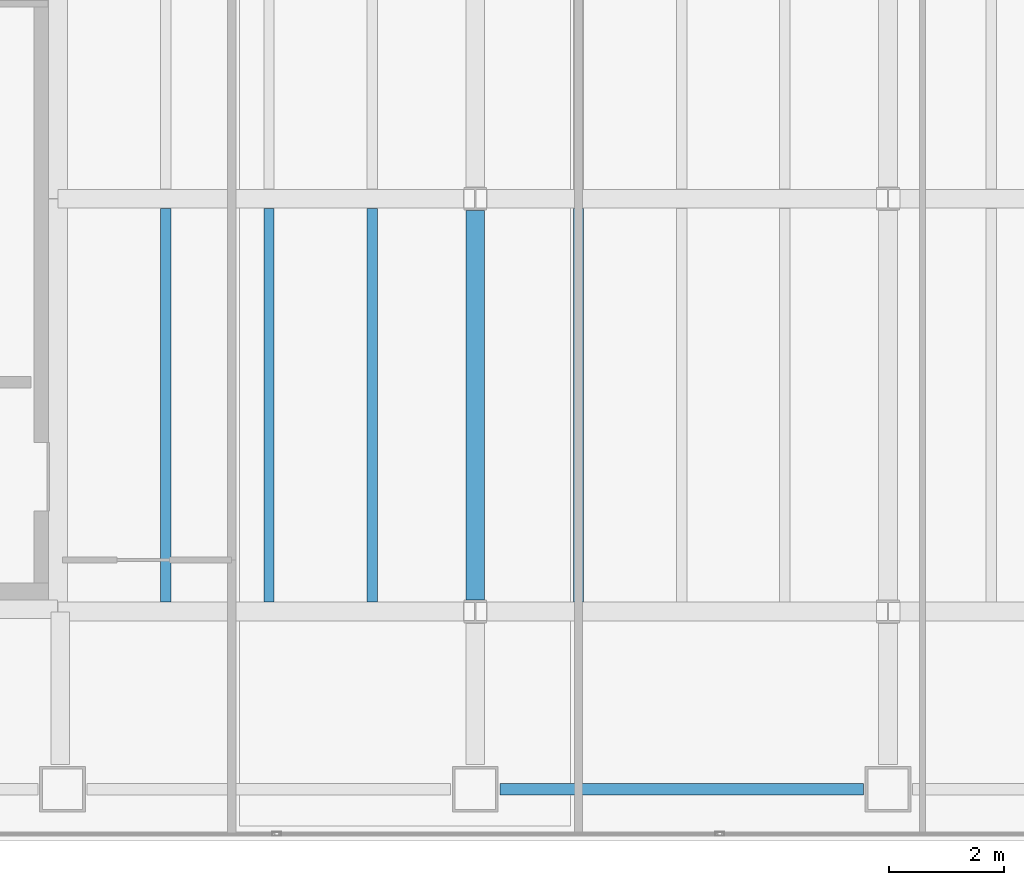
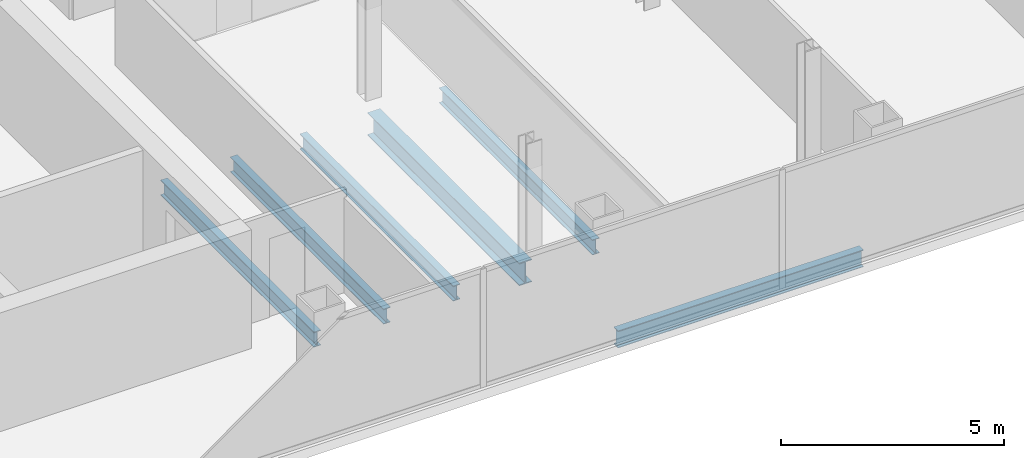
# One storey, part 5 of 23: 6 beams.
"""IFC4 building model written with IfcOpenShell, lengths in metres."""

import ifcopenshell
import ifcopenshell.guid

model = None  # the IFC model being written
_history = None  # IfcOwnerHistory: only IFC2X3 demands one
_inside = {}  # id of a spatial element -> (the spatial element, [elements in it])
_under = {}  # id of a project, library or spatial element -> (it, [spatial elements below it])
_declared = {}  # id of a project -> (the project, [libraries it declares])
_typed = {}  # id of a type object -> (the type object, [elements of that type])
_made_of = {}  # id of a material, layer set ... -> (it, [elements and type objects made of it])


def new_model(schema):
    """Start an empty IFC model of exactly this schema.

    Asked for "IFC4X3", IfcOpenShell would pick the latest addendum, in which some entities
    have other attributes; the version numbers below select the first issue.
    IFC2X3 requires an IfcOwnerHistory on every rooted entity: one is made here for all.
    """
    global model, _history
    if schema == "IFC4X3":
        model = ifcopenshell.file(schema_version=(4, 3, 0, 0))
    else:
        model = ifcopenshell.file(schema=schema)
    _inside.clear()
    _under.clear()
    _declared.clear()
    _typed.clear()
    _made_of.clear()
    _history = None
    if model.schema == "IFC2X3":
        org = make("IfcOrganization", Name="unknown")
        user = make(
            "IfcPersonAndOrganization",
            ThePerson=make("IfcPerson", FamilyName="unknown"),
            TheOrganization=org,
        )
        app = make(
            "IfcApplication",
            ApplicationDeveloper=org,
            Version="unknown",
            ApplicationFullName="unknown",
            ApplicationIdentifier="unknown",
        )
        _history = make(
            "IfcOwnerHistory",
            OwningUser=user,
            OwningApplication=app,
            ChangeAction="ADDED",
            CreationDate=0,
        )
    return model


def make(cls, **values):
    """One entity of the class cls with the attributes given. An attribute that is None is left unset."""
    return model.create_entity(
        cls, **{name: value for name, value in values.items() if value is not None}
    )


def rooted(cls, **values):
    """An entity with a GlobalId (a new one), such as an element, a storey or a relation."""
    return make(cls, GlobalId=ifcopenshell.guid.new(), OwnerHistory=_history, **values)


def si_unit(unit_type, name, prefix=None):
    """IfcSIUnit, for example si_unit("LENGTHUNIT", "METRE", prefix="MILLI")."""
    return make("IfcSIUnit", UnitType=unit_type, Prefix=prefix, Name=name)


def assignment(units):
    """IfcUnitAssignment: the units of a project."""
    return None if units is None else make("IfcUnitAssignment", Units=units)


def point(xyz):
    """IfcCartesianPoint."""
    return None if xyz is None else make("IfcCartesianPoint", Coordinates=xyz)


def direction(xyz):
    """IfcDirection."""
    return None if xyz is None else make("IfcDirection", DirectionRatios=xyz)


def frame(location, z_axis=None, x_axis=None):
    """IfcAxis2Placement3D, a coordinate frame: its origin and axes. An axis left out is left unset."""
    return make(
        "IfcAxis2Placement3D",
        Location=point(location),
        Axis=direction(z_axis),
        RefDirection=direction(x_axis),
    )


def frame_2d(location, x_axis=None):
    """IfcAxis2Placement2D, a coordinate frame in the plane: its origin and x axis."""
    return make(
        "IfcAxis2Placement2D", Location=point(location), RefDirection=direction(x_axis)
    )


def origin():
    """The frame at (0, 0, 0) with its axes left unset."""
    return frame((0.0, 0.0, 0.0))


def origin_2d():
    """The frame at (0, 0) in the plane with its x axis left unset."""
    return frame_2d((0.0, 0.0))


def place(relative_to, where):
    """IfcLocalPlacement: puts the frame where relative to a parent placement (None: the world)."""
    return make(
        "IfcLocalPlacement", PlacementRelTo=relative_to, RelativePlacement=where
    )


def context(
    kind, dimensions, precision=None, world=None, true_north=None, identifier=None
):
    """IfcGeometricRepresentationContext, for example the 3D "Model" context."""
    return make(
        "IfcGeometricRepresentationContext",
        ContextIdentifier=identifier,
        ContextType=kind,
        CoordinateSpaceDimension=dimensions,
        Precision=precision,
        WorldCoordinateSystem=world,
        TrueNorth=true_north,
    )


def subcontext(parent, identifier, kind, view, scale=None):
    """IfcGeometricRepresentationSubContext, for example "Body" below "Model"."""
    return make(
        "IfcGeometricRepresentationSubContext",
        ContextIdentifier=identifier,
        ContextType=kind,
        ParentContext=parent,
        TargetScale=scale,
        TargetView=view,
    )


def project(units=None, contexts=None):
    """IfcProject with its units and contexts."""
    return rooted(
        "IfcProject",
        Name="project",
        RepresentationContexts=contexts,
        UnitsInContext=assignment(units),
    )


def spatial(cls, under=None, at=None, **own):
    """A site, building, storey or space (cls), placed at a placement, below another one or the project."""
    s = rooted(cls, ObjectPlacement=at, **own)
    if under is not None:
        _under.setdefault(under.id(), (under, []))[1].append(s)
    return s


def profile(cls, at=None, kind="AREA", **sizes):
    """A parametric profile (cls). Its sizes go by their IFC names, for example OverallWidth=200.0."""
    return make(cls, ProfileType=kind, Position=at, **sizes)


def i_section(**sizes):
    """IfcIShapeProfileDef."""
    return profile("IfcIShapeProfileDef", **sizes)


def extrude(swept, where, along, depth):
    """IfcExtrudedAreaSolid: the profile swept, set in the frame where, extruded along a direction by depth."""
    return make(
        "IfcExtrudedAreaSolid",
        SweptArea=swept,
        Position=where,
        ExtrudedDirection=direction(along),
        Depth=depth,
    )


def shape(context_of_items, identifier, shape_type, items):
    """IfcShapeRepresentation: the items that make up one representation, for example the "Body"."""
    return make(
        "IfcShapeRepresentation",
        ContextOfItems=context_of_items,
        RepresentationIdentifier=identifier,
        RepresentationType=shape_type,
        Items=items,
    )


def material(Name=None, Category=None):
    """IfcMaterial."""
    return make("IfcMaterial", Name=Name, Category=Category)


def material_profile(
    of_material, cross_section, Name=None, Category=None, Priority=None
):
    """IfcMaterialProfile: a cross section and its material."""
    return make(
        "IfcMaterialProfile",
        Name=Name,
        Material=of_material,
        Profile=cross_section,
        Priority=Priority,
        Category=Category,
    )


def profile_set(profiles, Name=None, composite=None):
    """IfcMaterialProfileSet."""
    return make(
        "IfcMaterialProfileSet",
        Name=Name,
        MaterialProfiles=profiles,
        CompositeProfile=composite,
    )


def made_of(thing, what):
    """Note that an element or type object is made of a material, layer set ...; save() writes the relation."""
    if what is not None:
        _made_of.setdefault(what.id(), (what, []))[1].append(thing)
    return thing


def type_object(cls, material=None, **own):
    """A type object (cls), such as IfcWallType, which elements share."""
    return made_of(rooted(cls, **own), material)


def element(
    cls,
    number,
    at=None,
    inside=None,
    cuts=None,
    type_object=None,
    material=None,
    context=None,
    identifier="Body",
    shape_type=None,
    held_by="IfcProductDefinitionShape",
    body=None,
    shapes=None,
    **own,
):
    """One element of the class cls, such as IfcWall. Its Tag is "e" and its number.

    at: its placement. inside: the storey or other place that contains it. cuts: it is an
    opening in that element (IfcRelVoidsElement). A single representation is given by context,
    identifier, shape_type and body (its items); several are given by shapes. held_by: the class
    of the entity that holds the representations. save() writes the other relations.
    """
    e = rooted(cls, Tag="e%d" % number, ObjectPlacement=at, **own)
    if body is not None:
        shapes = [shape(context, identifier, shape_type, body)]
    if shapes is not None:
        e.Representation = make(held_by, Representations=shapes)
    if inside is not None:
        _inside.setdefault(inside.id(), (inside, []))[1].append(e)
    if cuts is not None:
        rooted(
            "IfcRelVoidsElement", RelatingBuildingElement=cuts, RelatedOpeningElement=e
        )
    if type_object is not None:
        _typed.setdefault(type_object.id(), (type_object, []))[1].append(e)
    return made_of(e, material)


def aggregate(whole, parts):
    """IfcRelAggregates: a whole, such as a stair, and the parts it consists of."""
    return rooted("IfcRelAggregates", RelatingObject=whole, RelatedObjects=parts)


def save(model, path):
    """Write the relations noted so far, then the file.

    IfcRelAggregates (storeys below a building ...), IfcRelContainedInSpatialStructure (elements
    in a storey), IfcRelDefinesByType, IfcRelAssociatesMaterial and IfcRelDeclares: one each for
    every whole, place, type object, material and project.
    """
    for whole, parts in _under.values():
        aggregate(whole, parts)
    for where, things in _inside.values():
        rooted(
            "IfcRelContainedInSpatialStructure",
            RelatedElements=things,
            RelatingStructure=where,
        )
    for kind, things in _typed.values():
        rooted("IfcRelDefinesByType", RelatedObjects=things, RelatingType=kind)
    for what, things in _made_of.values():
        rooted("IfcRelAssociatesMaterial", RelatedObjects=things, RelatingMaterial=what)
    for by, libraries in _declared.values():
        rooted("IfcRelDeclares", RelatingContext=by, RelatedDefinitions=libraries)
    model.write(path)


model = new_model("IFC4")

# Units and contexts
model_context = context("Model", 3, precision=1e-05, world=origin(), true_north=direction((0.0, 1.0)))
body_context = subcontext(model_context, "Body", "Model", "MODEL_VIEW")
ifc_project = project(units=[si_unit("LENGTHUNIT", "METRE"), si_unit("AREAUNIT", "SQUARE_METRE"), si_unit("VOLUMEUNIT", "CUBIC_METRE"), si_unit("PLANEANGLEUNIT", "RADIAN"), si_unit("MASSUNIT", "GRAM", prefix="KILO")], contexts=[model_context])

# Site, building, storey
site_placement = place(None, origin())
site = spatial("IfcSite", under=ifc_project, at=site_placement, CompositionType="ELEMENT")
building_placement = place(site_placement, origin())
building = spatial("IfcBuilding", under=site, at=building_placement, Name="Cobrela Telecom Tower", CompositionType="ELEMENT")
storey_placement = place(building_placement, frame((0.0, 0.0, 187.25)))
storey = spatial("IfcBuildingStorey", under=building, at=storey_placement, Name="L47", CompositionType="ELEMENT", Elevation=187.25)

# Beams
ifc_material = material(Name="Steel ASTM A992 Grade 50", Category="steel")
ifc_material_profile_1 = material_profile(ifc_material, i_section(OverallWidth=0.327880859375, OverallDepth=0.6220703125, WebThickness=0.015380859375, FlangeThickness=0.0244140625, FilletRadius=0.014892578125, at=origin_2d()), Name="W24X131")
ifc_profile_set_1 = profile_set([ifc_material_profile_1], Name="Steel ASTM A992 Grade 50")
beam_type_1 = type_object("IfcBeamType", Name="BM-GIRD-06", PredefinedType="USERDEFINED", material=ifc_profile_set_1)
beam_1_placement = place(storey_placement, frame((21.60009765625, 7.404541015625, -0.571044921875), z_axis=(0.0, 1.0, 0.0), x_axis=(-1.0, 0.0, 0.0)))
element("IfcBeam", 1, at=beam_1_placement, inside=storey, type_object=beam_type_1, Name="L47 Primary Girder Y33", ObjectType="GIRDER", PredefinedType="USERDEFINED", context=body_context, shape_type="SweptSolid", body=[
    extrude(i_section(OverallWidth=0.327880859375, OverallDepth=0.6220703125, WebThickness=0.015380859375, FlangeThickness=0.0244140625, FilletRadius=0.014892578125, at=origin_2d()), origin(), (0.0, 0.0, 1.0), 6.791015625),
])
ifc_material_profile_2 = material_profile(ifc_material, i_section(OverallWidth=0.179931640625, OverallDepth=0.4169921875, WebThickness=0.010986328125, FlangeThickness=0.01806640625, FilletRadius=0.011962890625, at=origin_2d()), Name="W16X57")
ifc_profile_set_2 = profile_set([ifc_material_profile_2], Name="Steel ASTM A992 Grade 50")
beam_type_2 = type_object("IfcBeamType", Name="BM-JOIST-04", PredefinedType="JOIST", material=ifc_profile_set_2)
for number, where, z_axis, x_axis, name in (
    (2, (16.199951171875, 7.368896484375, -0.468505859375), (0.0, 1.0, 0.0), (-1.0, 0.0, 0.0), "L47 Secondary Composite Floor Beam J01"),
    (3, (18.0, 7.368896484375, -0.468505859375), (0.0, 1.0, 0.0), (-1.0, 0.0, 0.0), "L47 Secondary Composite Floor Beam J05"),
    (4, (19.800048828125, 7.368896484375, -0.468505859375), (0.0, 1.0, 0.0), (-1.0, 0.0, 0.0), "L47 Secondary Composite Floor Beam J09"),
    (5, (23.39990234375, 7.368896484375, -0.468505859375), (0.0, 1.0, 0.0), (-1.0, 0.0, 0.0), "L47 Secondary Composite Floor Beam J13"),
):
    element("IfcBeam", number, at=place(storey_placement, frame(where, z_axis=z_axis, x_axis=x_axis)), inside=storey, type_object=beam_type_2, Name=name, PredefinedType="JOIST", context=body_context, shape_type="SweptSolid", body=[
        extrude(i_section(OverallWidth=0.179931640625, OverallDepth=0.4169921875, WebThickness=0.010986328125, FlangeThickness=0.01806640625, FilletRadius=0.011962890625, at=origin_2d()), origin(), (0.0, 0.0, 1.0), 6.862060546875),
    ])
ifc_material_profile_3 = material_profile(ifc_material, i_section(OverallWidth=0.193115234375, OverallDepth=0.467041015625, WebThickness=0.011474609375, FlangeThickness=0.01904296875, FilletRadius=0.012939453125, at=origin_2d()), Name="W18X65")
ifc_profile_set_3 = profile_set([ifc_material_profile_3], Name="Steel ASTM A992 Grade 50")
beam_type_3 = type_object("IfcBeamType", Name="BM-SPAND-05", PredefinedType="SPANDREL", material=ifc_profile_set_3)
beam_2_placement = place(storey_placement, frame((22.030029296875, 4.10009765625, -0.493408203125), z_axis=(1.0, 0.0, 0.0), x_axis=(0.0, 1.0, 0.0)))
element("IfcBeam", 6, at=beam_2_placement, inside=storey, type_object=beam_type_3, Name="L47 Perimeter Spandrel X03", PredefinedType="SPANDREL", context=body_context, shape_type="SweptSolid", body=[
    extrude(i_section(OverallWidth=0.193115234375, OverallDepth=0.467041015625, WebThickness=0.011474609375, FlangeThickness=0.01904296875, FilletRadius=0.012939453125, at=origin_2d()), origin(), (0.0, 0.0, 1.0), 6.340087890625),
])

save(model, "model.ifc")
